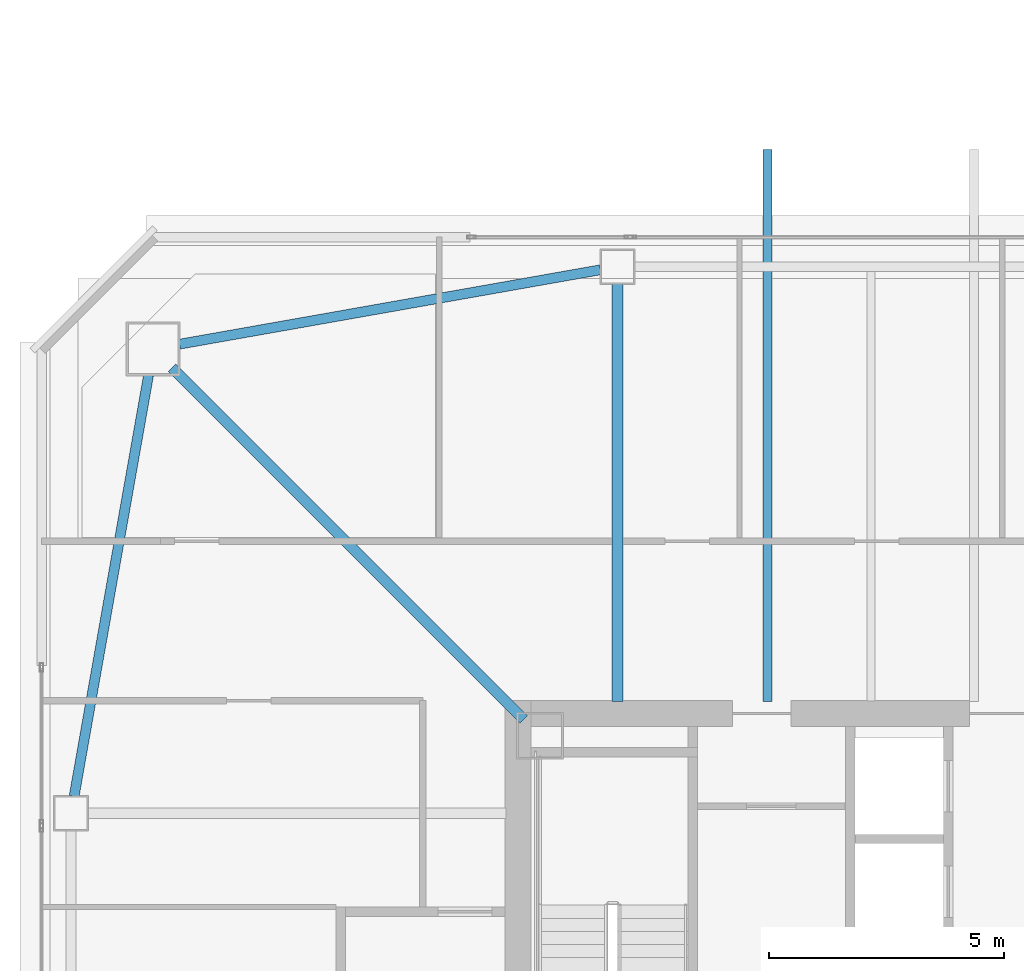
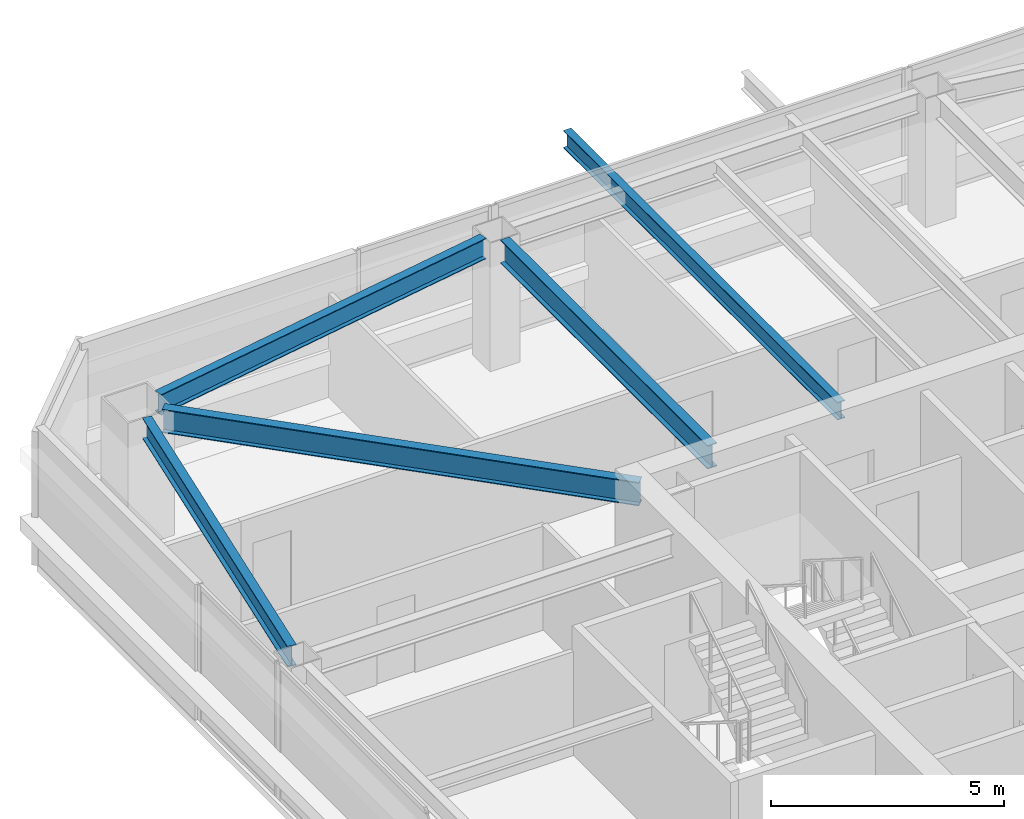
# One storey, part 12 of 42: 5 beams.
"""IFC4 building model written with IfcOpenShell, lengths in metres."""

from ifc_helpers import new_model, si_unit, direction, frame, origin, origin_2d, place, context, subcontext, project, spatial, i_section, extrude, material, material_profile, profile_set, type_object, element, save


model = new_model("IFC4")

# Units and contexts
model_context = context("Model", 3, precision=1e-05, world=origin(), true_north=direction((0.0, 1.0)))
body_context = subcontext(model_context, "Body", "Model", "MODEL_VIEW")
ifc_project = project(units=[si_unit("LENGTHUNIT", "METRE"), si_unit("AREAUNIT", "SQUARE_METRE"), si_unit("VOLUMEUNIT", "CUBIC_METRE"), si_unit("PLANEANGLEUNIT", "RADIAN"), si_unit("MASSUNIT", "GRAM", prefix="KILO")], contexts=[model_context])

# Site, building, storey
site_placement = place(None, origin())
site = spatial("IfcSite", under=ifc_project, at=site_placement, CompositionType="ELEMENT")
building_placement = place(site_placement, origin())
building = spatial("IfcBuilding", under=site, at=building_placement, Name="Tashvorn Skyway Center", CompositionType="ELEMENT")
storey_placement = place(building_placement, frame((0.0, 0.0, 164.10009765625)))
storey = spatial("IfcBuildingStorey", under=building, at=storey_placement, Name="L44", CompositionType="ELEMENT", Elevation=164.10009765625)

# Beams
ifc_material = material(Name="Steel ASTM A992 Grade 50", Category="steel")
ifc_material_profile_1 = material_profile(ifc_material, i_section(OverallWidth=0.22998046875, OverallDepth=0.616943359375, WebThickness=0.01318359375, FlangeThickness=0.022216796875, at=origin_2d()), Name="W24X94")
ifc_profile_set_1 = profile_set([ifc_material_profile_1], Name="Steel ASTM A992 Grade 50")
beam_type_1 = type_object("IfcBeamType", Name="BM-BEAM-W24X94", PredefinedType="BEAM", material=ifc_profile_set_1)
beam_1_placement = place(storey_placement, frame((27.10302734375, 46.89697265625, 3.0615234375), z_axis=(0.707106781187, -0.707106781187, 0.0), x_axis=(0.707106781187, 0.707106781187, 0.0)))
element("IfcBeam", 1, at=beam_1_placement, inside=storey, type_object=beam_type_1, Name="Tower 1 L44 Primary Floor Girder MC-NW", PredefinedType="BEAM", context=body_context, shape_type="SweptSolid", body=[
    extrude(i_section(OverallWidth=0.22998046875, OverallDepth=0.616943359375, WebThickness=0.01318359375, FlangeThickness=0.022216796875, at=origin_2d()), origin(), (0.0, 0.0, 1.0), 10.6025390625),
])
beam_2_placement = place(storey_placement, frame((36.60009765625, 48.679931640625, 3.0615234375), z_axis=(0.0, -1.0, 0.0), x_axis=(1.0, 0.0, 0.0)))
element("IfcBeam", 2, at=beam_2_placement, inside=storey, type_object=beam_type_1, Name="Tower 1 L44 Primary Floor Girder FC-N2", PredefinedType="BEAM", context=body_context, shape_type="SweptSolid", body=[
    extrude(i_section(OverallWidth=0.22998046875, OverallDepth=0.616943359375, WebThickness=0.01318359375, FlangeThickness=0.022216796875, at=origin_2d()), origin(), (0.0, 0.0, 1.0), 8.89990234375),
])
ifc_material_profile_2 = material_profile(ifc_material, i_section(OverallWidth=0.19091796875, OverallDepth=0.4599609375, WebThickness=0.010009765625, FlangeThickness=0.01611328125, at=origin_2d()), Name="W18X55")
ifc_profile_set_2 = profile_set([ifc_material_profile_2], Name="Steel ASTM A992 Grade 50")
beam_type_2 = type_object("IfcBeamType", Name="BM-JOIST-W18X55", PredefinedType="JOIST", material=ifc_profile_set_2)
beam_3_placement = place(storey_placement, frame((39.800048828125, 39.780029296875, 3.139892578125), z_axis=(0.0, 1.0, 0.0), x_axis=(-1.0, 0.0, 0.0)))
element("IfcBeam", 3, at=beam_3_placement, inside=storey, type_object=beam_type_2, Name="Tower 1 L45 Terrace Cantilever Outlooker 1", PredefinedType="JOIST", context=body_context, shape_type="SweptSolid", body=[
    extrude(i_section(OverallWidth=0.19091796875, OverallDepth=0.4599609375, WebThickness=0.010009765625, FlangeThickness=0.01611328125, at=origin_2d()), origin(), (0.0, 0.0, 1.0), 11.77001953125),
])
ifc_material_profile_3 = material_profile(ifc_material, i_section(OverallWidth=0.2109375, OverallDepth=0.5390625, WebThickness=0.01171875, FlangeThickness=0.018798828125, at=origin_2d()), Name="W21X73")
ifc_profile_set_3 = profile_set([ifc_material_profile_3], Name="Steel ASTM A992 Grade 50")
beam_type_3 = type_object("IfcBeamType", Name="BM-SPANDREL-W21X73", PredefinedType="SPANDREL", material=ifc_profile_set_3)
for number, where, z_axis, x_axis, name in (
    (4, (36.235595703125, 48.985595703125, 3.100341796875), (-0.984732545667, -0.174074160933, 0.0), (0.174074160933, -0.984732545667, 0.0), "Tower 1 L44 Spandrel Beam 09"),
    (5, (26.600830078125, 46.73876953125, 3.100341796875), (-0.174074160933, -0.984732545667, 0.0), (0.984732545667, -0.174074160933, 0.0), "Tower 1 L44 Spandrel Beam 10"),
):
    element("IfcBeam", number, at=place(storey_placement, frame(where, z_axis=z_axis, x_axis=x_axis)), inside=storey, type_object=beam_type_3, Name=name, PredefinedType="SPANDREL", context=body_context, shape_type="SweptSolid", body=[
        extrude(i_section(OverallWidth=0.2109375, OverallDepth=0.5390625, WebThickness=0.01171875, FlangeThickness=0.018798828125, at=origin_2d()), origin(), (0.0, 0.0, 1.0), 9.113525390625),
    ])

save(model, "model.ifc")
